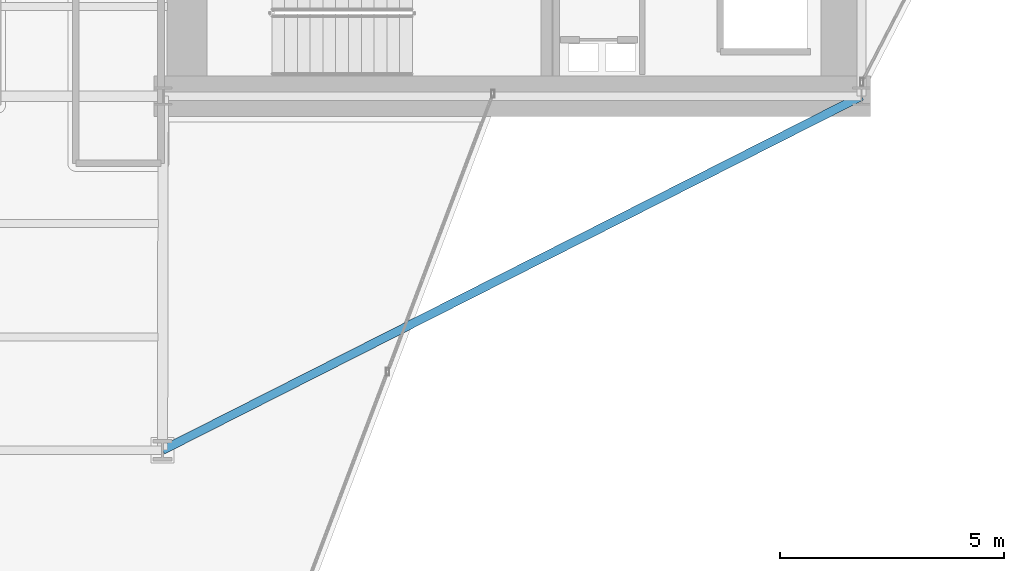
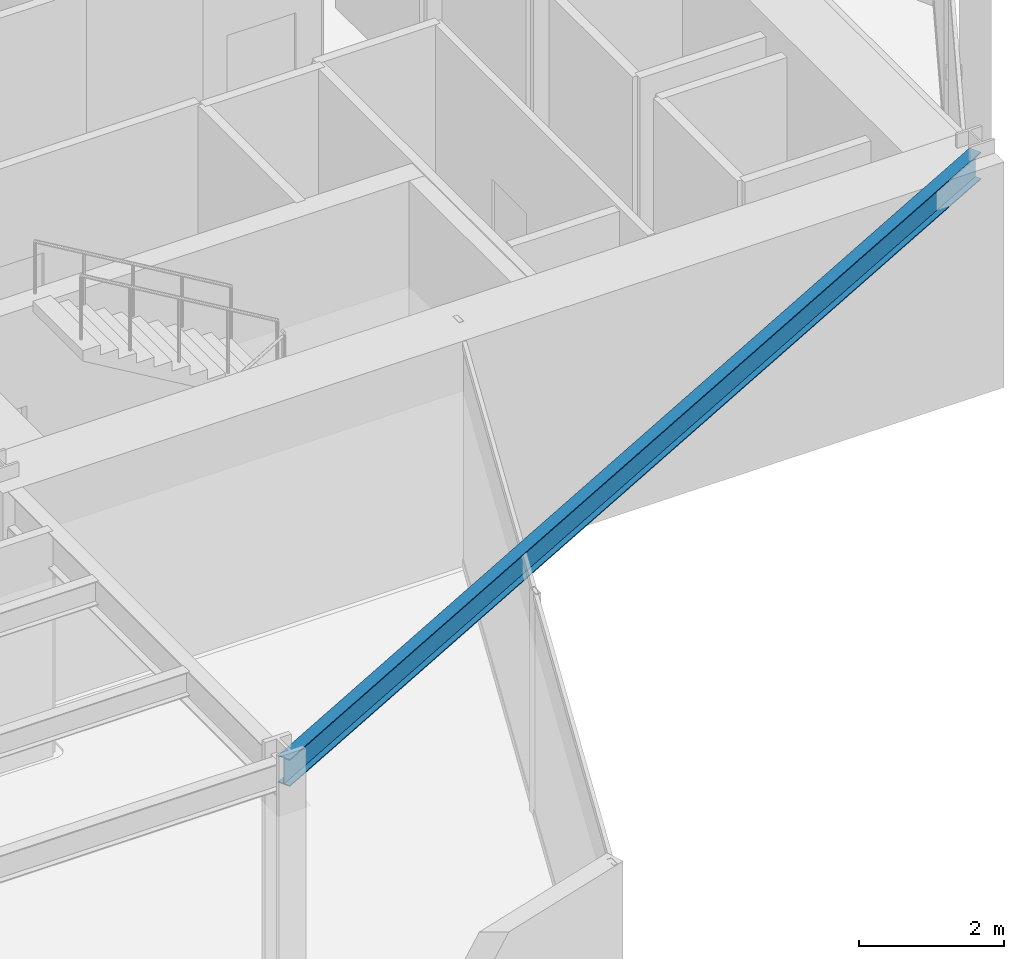
# One storey, part 14 of 30: 1 beam.
"""IFC4 building model written with IfcOpenShell, lengths in metres."""

from ifc_helpers import new_model, si_unit, direction, frame, origin, origin_2d, place, context, subcontext, project, spatial, i_section, extrude, material, material_profile, profile_set, type_object, element, save


model = new_model("IFC4")

# Units and contexts
model_context = context("Model", 3, precision=1e-05, world=origin(), true_north=direction((0.0, 1.0)))
body_context = subcontext(model_context, "Body", "Model", "MODEL_VIEW")
ifc_project = project(units=[si_unit("LENGTHUNIT", "METRE"), si_unit("AREAUNIT", "SQUARE_METRE"), si_unit("VOLUMEUNIT", "CUBIC_METRE"), si_unit("PLANEANGLEUNIT", "RADIAN"), si_unit("MASSUNIT", "GRAM", prefix="KILO")], contexts=[model_context])

# Site, building, storey
site_placement = place(None, origin())
site = spatial("IfcSite", under=ifc_project, at=site_placement, CompositionType="ELEMENT")
building_placement = place(site_placement, origin())
building = spatial("IfcBuilding", under=site, at=building_placement, Name="Veymaron Broadcast Tower", CompositionType="ELEMENT")
storey_placement = place(building_placement, frame((0.0, 0.0, 37.800048828125)))
storey = spatial("IfcBuildingStorey", under=building, at=storey_placement, Name="L07", CompositionType="ELEMENT", Elevation=37.800048828125)

# Beam
ifc_material = material(Name="Structural steel ASTM A992 Gr 50", Category="steel")
ifc_material_profile = material_profile(ifc_material, i_section(OverallWidth=0.19091796875, OverallDepth=0.4599609375, WebThickness=0.010009765625, FlangeThickness=0.01611328125, at=origin_2d()), Name="W460X82")
ifc_profile_set = profile_set([ifc_material_profile], Name="Structural steel ASTM A992 Gr 50")
beam_type = type_object("IfcBeamType", Name="BM-SP1", PredefinedType="SPANDREL", material=ifc_profile_set)
beam_placement = place(storey_placement, frame((54.60009765625, 16.0, 3.579833984375), z_axis=(-0.892074535594, -0.451888285913, 0.0), x_axis=(0.451888285913, -0.892074535594, 0.0)))
element("IfcBeam", 1, at=beam_placement, inside=storey, type_object=beam_type, Name="L07 primary structural floor girder", PredefinedType="SPANDREL", context=body_context, shape_type="SweptSolid", body=[
    extrude(i_section(OverallWidth=0.19091796875, OverallDepth=0.4599609375, WebThickness=0.010009765625, FlangeThickness=0.01611328125, at=origin_2d()), origin(), (0.0, 0.0, 1.0), 17.504150390625),
])

save(model, "model.ifc")
